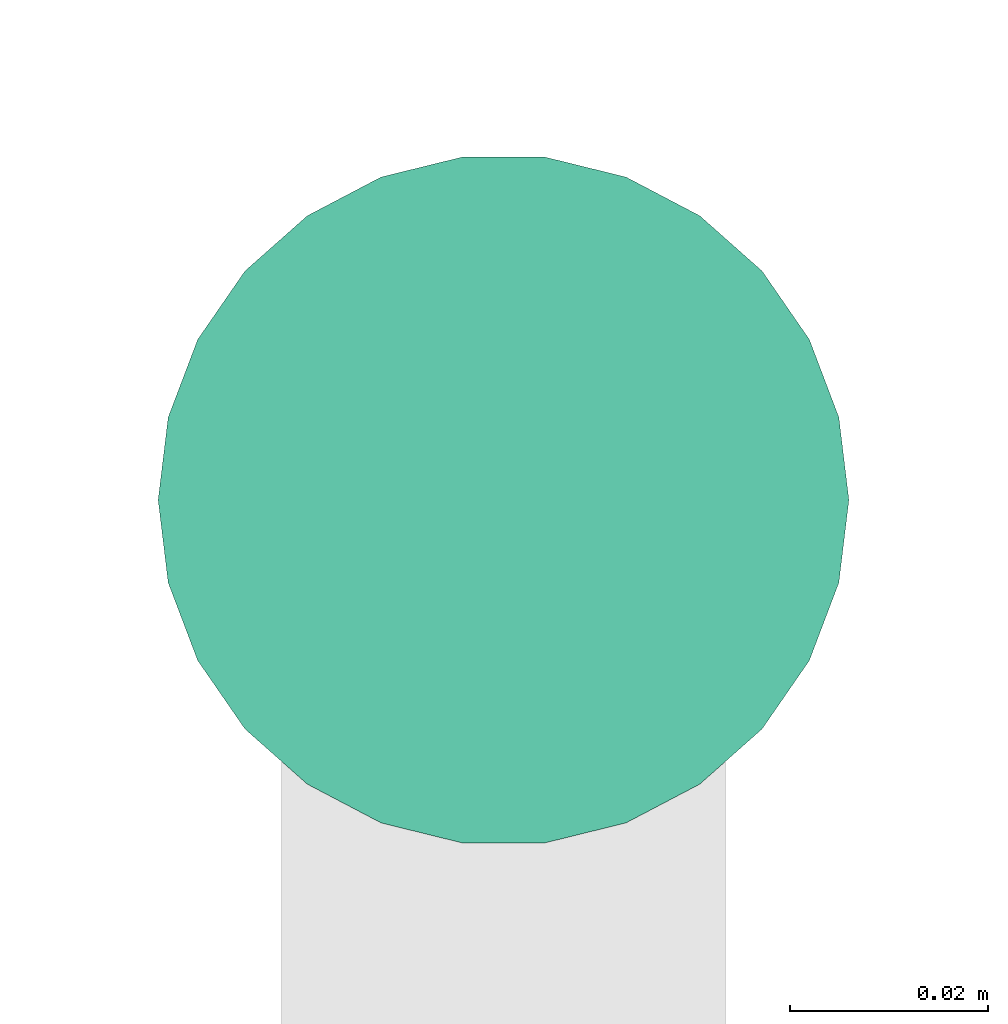
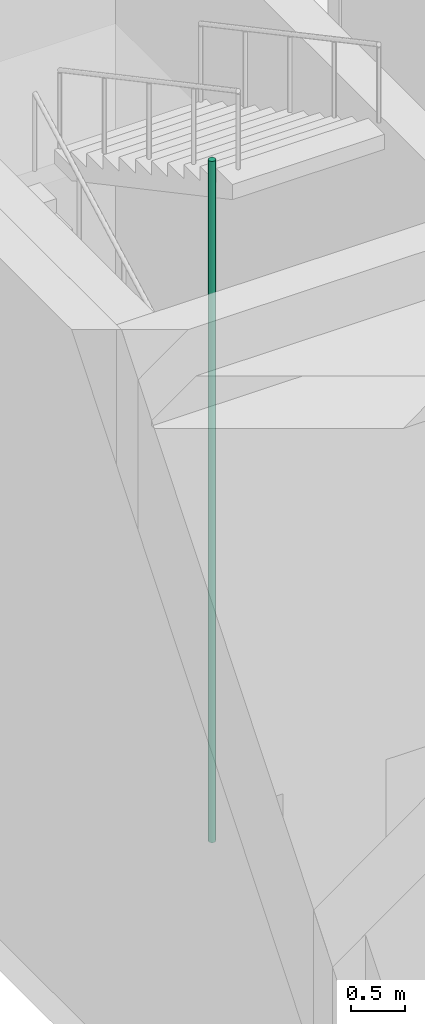
# One storey, part 21 of 33: 1 pipe segment.
"""IFC4 building model written with IfcOpenShell, lengths in metres."""

from ifc_helpers import new_model, si_unit, direction, frame, origin, origin_2d, place, context, subcontext, project, spatial, circle, extrude, element, save


model = new_model("IFC4")

# Units and contexts
model_context = context("Model", 3, precision=1e-05, world=origin(), true_north=direction((0.0, 1.0)))
body_context = subcontext(model_context, "Body", "Model", "MODEL_VIEW")
ifc_project = project(units=[si_unit("LENGTHUNIT", "METRE"), si_unit("AREAUNIT", "SQUARE_METRE"), si_unit("VOLUMEUNIT", "CUBIC_METRE"), si_unit("PLANEANGLEUNIT", "RADIAN"), si_unit("MASSUNIT", "GRAM", prefix="KILO")], contexts=[model_context])

# Site, building, storey
site_placement = place(None, origin())
site = spatial("IfcSite", under=ifc_project, at=site_placement, CompositionType="ELEMENT")
building_placement = place(site_placement, origin())
building = spatial("IfcBuilding", under=site, at=building_placement, Name="Nzadi Deep Aquarium and Research Tower", CompositionType="ELEMENT")
storey_placement = place(building_placement, frame((0.0, 0.0, 6.5)))
storey = spatial("IfcBuildingStorey", under=building, at=storey_placement, Name="L01", CompositionType="ELEMENT", Elevation=6.5)

# Pipe segment
pipe_segment_placement = place(storey_placement, frame((2.300048828125, 12.320068359375, 0.0), z_axis=(0.0, 0.0, 1.0), x_axis=(1.0, 0.0, 0.0)))
element("IfcPipeSegment", 1, at=pipe_segment_placement, inside=storey, Name="Dry riser ST-Z1-SW L01", PredefinedType="RIGIDSEGMENT", context=body_context, shape_type="SweptSolid", body=[
    extrude(circle(Radius=0.034912109375, at=origin_2d()), origin(), (0.0, 0.0, 1.0), 7.699951171875),
])

save(model, "model.ifc")
